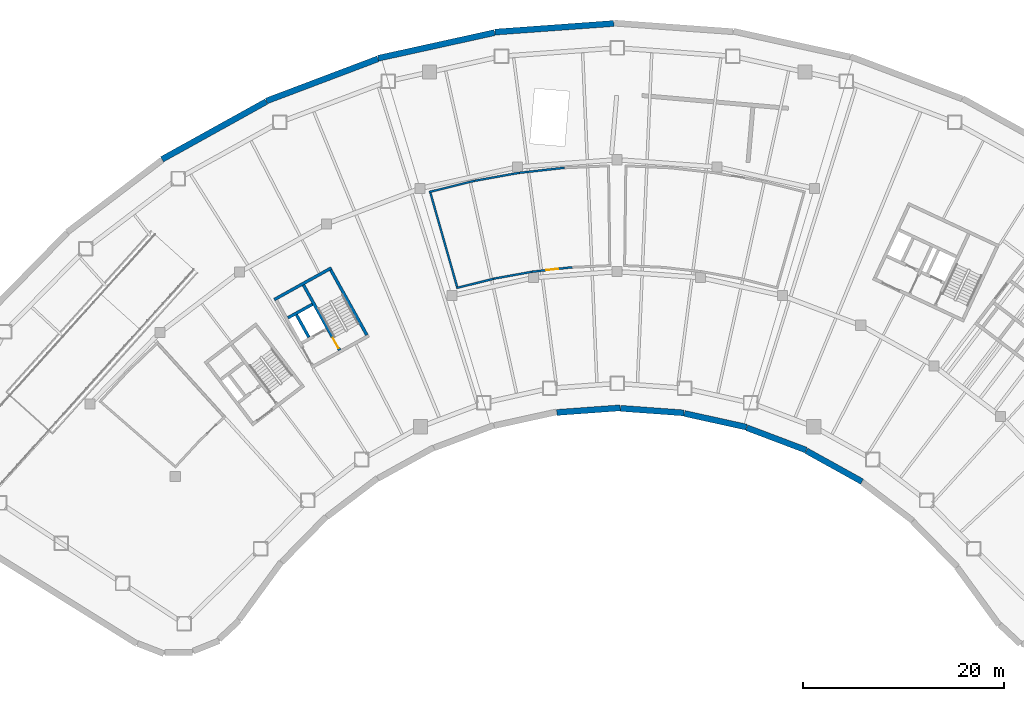
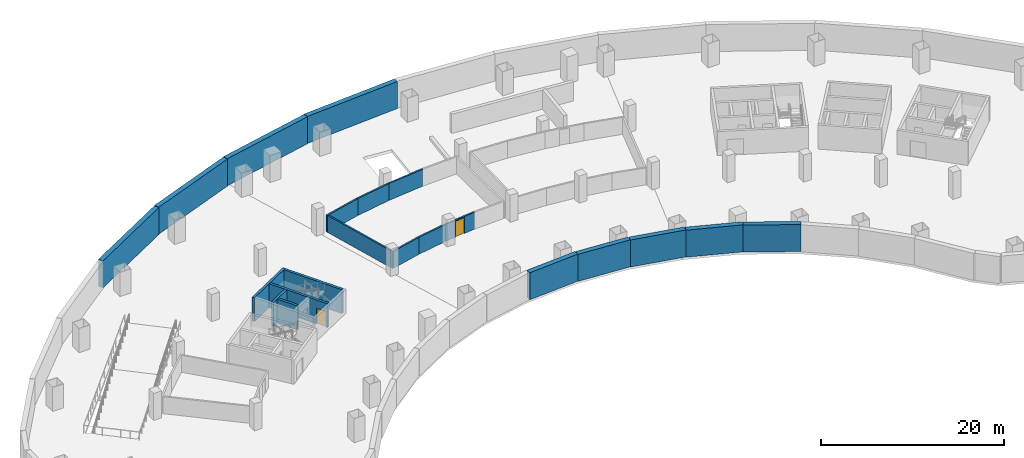
# One storey, part 5 of 10: 21 walls, 2 doors, 2 openings.
"""IFC4 building model written with IfcOpenShell, lengths in metres."""

import ifcopenshell
import ifcopenshell.guid

model = None  # the IFC model being written
_history = None  # IfcOwnerHistory: only IFC2X3 demands one
_inside = {}  # id of a spatial element -> (the spatial element, [elements in it])
_under = {}  # id of a project, library or spatial element -> (it, [spatial elements below it])
_declared = {}  # id of a project -> (the project, [libraries it declares])
_typed = {}  # id of a type object -> (the type object, [elements of that type])
_made_of = {}  # id of a material, layer set ... -> (it, [elements and type objects made of it])


def new_model(schema):
    """Start an empty IFC model of exactly this schema.

    Asked for "IFC4X3", IfcOpenShell would pick the latest addendum, in which some entities
    have other attributes; the version numbers below select the first issue.
    IFC2X3 requires an IfcOwnerHistory on every rooted entity: one is made here for all.
    """
    global model, _history
    if schema == "IFC4X3":
        model = ifcopenshell.file(schema_version=(4, 3, 0, 0))
    else:
        model = ifcopenshell.file(schema=schema)
    _inside.clear()
    _under.clear()
    _declared.clear()
    _typed.clear()
    _made_of.clear()
    _history = None
    if model.schema == "IFC2X3":
        org = make("IfcOrganization", Name="unknown")
        user = make(
            "IfcPersonAndOrganization",
            ThePerson=make("IfcPerson", FamilyName="unknown"),
            TheOrganization=org,
        )
        app = make(
            "IfcApplication",
            ApplicationDeveloper=org,
            Version="unknown",
            ApplicationFullName="unknown",
            ApplicationIdentifier="unknown",
        )
        _history = make(
            "IfcOwnerHistory",
            OwningUser=user,
            OwningApplication=app,
            ChangeAction="ADDED",
            CreationDate=0,
        )
    return model


def make(cls, **values):
    """One entity of the class cls with the attributes given. An attribute that is None is left unset."""
    return model.create_entity(
        cls, **{name: value for name, value in values.items() if value is not None}
    )


def rooted(cls, **values):
    """An entity with a GlobalId (a new one), such as an element, a storey or a relation."""
    return make(cls, GlobalId=ifcopenshell.guid.new(), OwnerHistory=_history, **values)


def si_unit(unit_type, name, prefix=None):
    """IfcSIUnit, for example si_unit("LENGTHUNIT", "METRE", prefix="MILLI")."""
    return make("IfcSIUnit", UnitType=unit_type, Prefix=prefix, Name=name)


def assignment(units):
    """IfcUnitAssignment: the units of a project."""
    return None if units is None else make("IfcUnitAssignment", Units=units)


def point(xyz):
    """IfcCartesianPoint."""
    return None if xyz is None else make("IfcCartesianPoint", Coordinates=xyz)


def direction(xyz):
    """IfcDirection."""
    return None if xyz is None else make("IfcDirection", DirectionRatios=xyz)


def frame(location, z_axis=None, x_axis=None):
    """IfcAxis2Placement3D, a coordinate frame: its origin and axes. An axis left out is left unset."""
    return make(
        "IfcAxis2Placement3D",
        Location=point(location),
        Axis=direction(z_axis),
        RefDirection=direction(x_axis),
    )


def frame_2d(location, x_axis=None):
    """IfcAxis2Placement2D, a coordinate frame in the plane: its origin and x axis."""
    return make(
        "IfcAxis2Placement2D", Location=point(location), RefDirection=direction(x_axis)
    )


def origin():
    """The frame at (0, 0, 0) with its axes left unset."""
    return frame((0.0, 0.0, 0.0))


def place(relative_to, where):
    """IfcLocalPlacement: puts the frame where relative to a parent placement (None: the world)."""
    return make(
        "IfcLocalPlacement", PlacementRelTo=relative_to, RelativePlacement=where
    )


def context(
    kind, dimensions, precision=None, world=None, true_north=None, identifier=None
):
    """IfcGeometricRepresentationContext, for example the 3D "Model" context."""
    return make(
        "IfcGeometricRepresentationContext",
        ContextIdentifier=identifier,
        ContextType=kind,
        CoordinateSpaceDimension=dimensions,
        Precision=precision,
        WorldCoordinateSystem=world,
        TrueNorth=true_north,
    )


def subcontext(parent, identifier, kind, view, scale=None):
    """IfcGeometricRepresentationSubContext, for example "Body" below "Model"."""
    return make(
        "IfcGeometricRepresentationSubContext",
        ContextIdentifier=identifier,
        ContextType=kind,
        ParentContext=parent,
        TargetScale=scale,
        TargetView=view,
    )


def project(units=None, contexts=None):
    """IfcProject with its units and contexts."""
    return rooted(
        "IfcProject",
        Name="project",
        RepresentationContexts=contexts,
        UnitsInContext=assignment(units),
    )


def spatial(cls, under=None, at=None, **own):
    """A site, building, storey or space (cls), placed at a placement, below another one or the project."""
    s = rooted(cls, ObjectPlacement=at, **own)
    if under is not None:
        _under.setdefault(under.id(), (under, []))[1].append(s)
    return s


def profile(cls, at=None, kind="AREA", **sizes):
    """A parametric profile (cls). Its sizes go by their IFC names, for example OverallWidth=200.0."""
    return make(cls, ProfileType=kind, Position=at, **sizes)


def rectangle(**sizes):
    """IfcRectangleProfileDef."""
    return profile("IfcRectangleProfileDef", **sizes)


def extrude(swept, where, along, depth):
    """IfcExtrudedAreaSolid: the profile swept, set in the frame where, extruded along a direction by depth."""
    return make(
        "IfcExtrudedAreaSolid",
        SweptArea=swept,
        Position=where,
        ExtrudedDirection=direction(along),
        Depth=depth,
    )


def shape(context_of_items, identifier, shape_type, items):
    """IfcShapeRepresentation: the items that make up one representation, for example the "Body"."""
    return make(
        "IfcShapeRepresentation",
        ContextOfItems=context_of_items,
        RepresentationIdentifier=identifier,
        RepresentationType=shape_type,
        Items=items,
    )


def material(Name=None, Category=None):
    """IfcMaterial."""
    return make("IfcMaterial", Name=Name, Category=Category)


def layer(
    of_material, thickness, ventilated=None, Name=None, Category=None, Priority=None
):
    """IfcMaterialLayer: one layer of a wall or slab, of a material (None: an air gap)."""
    return make(
        "IfcMaterialLayer",
        Material=of_material,
        LayerThickness=thickness,
        IsVentilated=ventilated,
        Name=Name,
        Category=Category,
        Priority=Priority,
    )


def layer_set(layers, Name=None):
    """IfcMaterialLayerSet."""
    return make("IfcMaterialLayerSet", MaterialLayers=layers, LayerSetName=Name)


def made_of(thing, what):
    """Note that an element or type object is made of a material, layer set ...; save() writes the relation."""
    if what is not None:
        _made_of.setdefault(what.id(), (what, []))[1].append(thing)
    return thing


def type_object(cls, material=None, **own):
    """A type object (cls), such as IfcWallType, which elements share."""
    return made_of(rooted(cls, **own), material)


def element(
    cls,
    number,
    at=None,
    inside=None,
    cuts=None,
    type_object=None,
    material=None,
    context=None,
    identifier="Body",
    shape_type=None,
    held_by="IfcProductDefinitionShape",
    body=None,
    shapes=None,
    **own,
):
    """One element of the class cls, such as IfcWall. Its Tag is "e" and its number.

    at: its placement. inside: the storey or other place that contains it. cuts: it is an
    opening in that element (IfcRelVoidsElement). A single representation is given by context,
    identifier, shape_type and body (its items); several are given by shapes. held_by: the class
    of the entity that holds the representations. save() writes the other relations.
    """
    e = rooted(cls, Tag="e%d" % number, ObjectPlacement=at, **own)
    if body is not None:
        shapes = [shape(context, identifier, shape_type, body)]
    if shapes is not None:
        e.Representation = make(held_by, Representations=shapes)
    if inside is not None:
        _inside.setdefault(inside.id(), (inside, []))[1].append(e)
    if cuts is not None:
        rooted(
            "IfcRelVoidsElement", RelatingBuildingElement=cuts, RelatedOpeningElement=e
        )
    if type_object is not None:
        _typed.setdefault(type_object.id(), (type_object, []))[1].append(e)
    return made_of(e, material)


def fill(opening, filler):
    """IfcRelFillsElement: the door or window that sits in an opening."""
    return rooted(
        "IfcRelFillsElement",
        RelatingOpeningElement=opening,
        RelatedBuildingElement=filler,
    )


def aggregate(whole, parts):
    """IfcRelAggregates: a whole, such as a stair, and the parts it consists of."""
    return rooted("IfcRelAggregates", RelatingObject=whole, RelatedObjects=parts)


def save(model, path):
    """Write the relations noted so far, then the file.

    IfcRelAggregates (storeys below a building ...), IfcRelContainedInSpatialStructure (elements
    in a storey), IfcRelDefinesByType, IfcRelAssociatesMaterial and IfcRelDeclares: one each for
    every whole, place, type object, material and project.
    """
    for whole, parts in _under.values():
        aggregate(whole, parts)
    for where, things in _inside.values():
        rooted(
            "IfcRelContainedInSpatialStructure",
            RelatedElements=things,
            RelatingStructure=where,
        )
    for kind, things in _typed.values():
        rooted("IfcRelDefinesByType", RelatedObjects=things, RelatingType=kind)
    for what, things in _made_of.values():
        rooted("IfcRelAssociatesMaterial", RelatedObjects=things, RelatingMaterial=what)
    for by, libraries in _declared.values():
        rooted("IfcRelDeclares", RelatingContext=by, RelatedDefinitions=libraries)
    model.write(path)


model = new_model("IFC4")

# Units and contexts
model_context = context("Model", 3, precision=1e-05, world=origin(), true_north=direction((0.0, 1.0)))
body_context = subcontext(model_context, "Body", "Model", "MODEL_VIEW")
ifc_project = project(units=[si_unit("LENGTHUNIT", "METRE"), si_unit("AREAUNIT", "SQUARE_METRE"), si_unit("VOLUMEUNIT", "CUBIC_METRE"), si_unit("PLANEANGLEUNIT", "RADIAN"), si_unit("MASSUNIT", "GRAM", prefix="KILO")], contexts=[model_context])

# Site, building, storey
site_placement = place(None, origin())
site = spatial("IfcSite", under=ifc_project, at=site_placement, CompositionType="ELEMENT")
building_placement = place(site_placement, origin())
building = spatial("IfcBuilding", under=site, at=building_placement, Name="Tuul Gate Civic Tower", CompositionType="ELEMENT")
storey_placement = place(building_placement, frame((0.0, 0.0, -8.10009765625)))
storey = spatial("IfcBuildingStorey", under=building, at=storey_placement, Name="Basement 2", CompositionType="ELEMENT", Elevation=-8.10009765625)

# Walls
ifc_material_1 = material(Name="Concrete block", Category="concrete")
ifc_layer_1 = layer(ifc_material_1, 0.199951171875)
ifc_layer_set_1 = layer_set([ifc_layer_1], Name="Concrete block")
wall_type_1 = type_object("IfcWallType", Name="Basement room wall EI 120", PredefinedType="PARTITIONING", material=ifc_layer_set_1)
for number, where, z_axis, x_axis, name in (
    (1, (-18.715576171875, 5.56982421875, 0.0), (0.0, 0.0, 1.0), (0.970480863672, 0.24117813592, 0.0), "Room wall"),
    (2, (-14.351806640625, 6.6611328125, 0.0), (0.0, 0.0, 1.0), (0.984266572601, 0.176689881037, 0.0), "Room wall"),
    (3, (-9.925537109375, 7.46240234375, 0.0), (0.0, 0.0, 1.0), (0.993779358968, 0.111366896735, 0.0), "Room wall"),
):
    element("IfcWall", number, at=place(storey_placement, frame(where, z_axis=z_axis, x_axis=x_axis)), inside=storey, type_object=wall_type_1, Name=name, PredefinedType="PARTITIONING", context=body_context, shape_type="SweptSolid", body=[
        extrude(rectangle(XDim=4.697998046875, YDim=0.199951171875, at=frame_2d((2.34912109375, 0.0))), origin(), (0.0, 0.0, 1.0), 2.25),
    ])

# Wall, opening, door
wall_1_placement = place(storey_placement, frame((-4.476806640625, -1.91259765625, 0.0), z_axis=(0.0, 0.0, 1.0), x_axis=(-0.993774261055, -0.111412378419, 0.0)))
wall_1 = element("IfcWall", 4, at=wall_1_placement, inside=storey, type_object=wall_type_1, Name="Room wall", PredefinedType="PARTITIONING", context=body_context, shape_type="SweptSolid", body=[
    extrude(rectangle(XDim=4.04296875, YDim=0.199951171875, at=frame_2d((2.021484375, 0.0))), origin(), (0.0, 0.0, 1.0), 2.25),
])
opening_1_placement = place(wall_1_placement, frame((1.421630859375, 0.0, 0.0)))
opening_1 = element("IfcOpeningElement", 5, at=opening_1_placement, cuts=wall_1, Name="Opening PD", PredefinedType="OPENING", context=body_context, shape_type="SweptSolid", body=[
    extrude(rectangle(XDim=1.199951171875, YDim=2.10009765625, at=frame_2d((0.60009765625, 1.050048828125))), frame((0.0, 0.10986328125, 0.0), z_axis=(0.0, -1.0, 0.0), x_axis=(1.0, 0.0, 0.0)), (0.0, 0.0, 1.0), 0.219970703125),
])
ifc_material_2 = material(Name="Steel door", Category="steel")
door_type_1 = type_object("IfcDoorType", Name="Plant room door", OperationType="DOUBLE_DOOR_SINGLE_SWING", PredefinedType="DOOR", material=ifc_material_2)
door_1_placement = place(opening_1_placement, origin())
door_1 = element("IfcDoor", 6, at=door_1_placement, inside=storey, type_object=door_type_1, Name="Door", OperationType="DOUBLE_DOOR_SINGLE_SWING", OverallHeight=2.10009765625, OverallWidth=1.199951171875, PredefinedType="DOOR", context=body_context, shape_type="SweptSolid", body=[
    extrude(rectangle(XDim=1.199951171875, YDim=2.10009765625, at=frame_2d((0.60009765625, 1.050048828125))), frame((0.0, 0.02490234375, 0.0), z_axis=(0.0, -1.0, 0.0), x_axis=(1.0, 0.0, 0.0)), (0.0, 0.0, 1.0), 0.050048828125),
])
fill(opening_1, door_1)

# Walls
for number, where, z_axis, x_axis, name in (
    (7, (-8.296875, -2.334228515625, 0.0), (0.0, 0.0, 1.0), (-0.984277937108, -0.176626562334, 0.0), "Room wall"),
    (8, (-12.080810546875, -3.006591796875, 0.0), (0.0, 0.0, 1.0), (-0.970479017696, -0.241185563853, 0.0), "Room wall"),
):
    element("IfcWall", number, at=place(storey_placement, frame(where, z_axis=z_axis, x_axis=x_axis)), inside=storey, type_object=wall_type_1, Name=name, PredefinedType="PARTITIONING", context=body_context, shape_type="SweptSolid", body=[
        extrude(rectangle(XDim=4.04296875, YDim=0.199951171875, at=frame_2d((2.021484375, 0.0))), origin(), (0.0, 0.0, 1.0), 2.25),
    ])
wall_2_placement = place(storey_placement, frame((-15.880126953125, -4.053955078125, 0.0), z_axis=(0.0, 0.0, 1.0), x_axis=(-0.273062164325, 0.961996390021, 0.0)))
element("IfcWall", 9, at=wall_2_placement, inside=storey, type_object=wall_type_1, Name="Room wall", PredefinedType="PARTITIONING", context=body_context, shape_type="SweptSolid", body=[
    extrude(rectangle(XDim=10.129150390625, YDim=0.199951171875, at=frame_2d((5.064453125, 0.0))), origin(), (0.0, 0.0, 1.0), 2.25),
])
ifc_material_3 = material(Name="Concrete C50/60", Category="concrete")
ifc_layer_2 = layer(ifc_material_3, 0.300048828125)
ifc_layer_set_2 = layer_set([ifc_layer_2], Name="Concrete C50/60")
wall_type_2 = type_object("IfcWallType", Name="Core wall C50/60", PredefinedType="SHEAR", material=ifc_layer_set_2)
wall_3_placement = place(storey_placement, frame((-30.327392578125, -5.59716796875, 0.0), z_axis=(0.0, 0.0, 1.0), x_axis=(-0.874629840737, -0.484791338301, 0.0)))
element("IfcWall", 10, at=wall_3_placement, inside=storey, type_object=wall_type_2, Name="Core wall", PredefinedType="SHEAR", context=body_context, shape_type="SweptSolid", body=[
    extrude(rectangle(XDim=2.800048828125, YDim=0.300048828125, at=frame_2d((1.39990234375, 0.0))), origin(), (0.0, 0.0, 1.0), 3.2001953125),
])
wall_4_placement = place(storey_placement, frame((-28.4443359375, -1.98095703125, 0.0), z_axis=(0.0, 0.0, 1.0), x_axis=(-0.874629909008, -0.484791215132, 0.0)))
element("IfcWall", 11, at=wall_4_placement, inside=storey, type_object=wall_type_2, Name="Core wall", PredefinedType="SHEAR", context=body_context, shape_type="SweptSolid", body=[
    extrude(rectangle(XDim=6.5, YDim=0.300048828125, at=frame_2d((3.25, 0.0))), origin(), (0.0, 0.0, 1.0), 3.2001953125),
])
wall_5_placement = place(storey_placement, frame((-24.91552734375, -8.6572265625, 0.0), z_axis=(0.0, 0.0, 1.0), x_axis=(-0.484777133038, 0.874637714304, 0.0)))
element("IfcWall", 12, at=wall_5_placement, inside=storey, type_object=wall_type_2, Name="Core wall", PredefinedType="SHEAR", context=body_context, shape_type="SweptSolid", body=[
    extrude(rectangle(XDim=7.400146484375, YDim=0.300048828125, at=frame_2d((3.7001953125, 0.0))), origin(), (0.0, 0.0, 1.0), 3.2001953125),
])

# Wall, opening, door
wall_6_placement = place(storey_placement, frame((-27.626953125, -10.16015625, 0.0), z_axis=(0.0, 0.0, 1.0), x_axis=(-0.484751894226, 0.874651702704, 0.0)))
wall_6 = element("IfcWall", 13, at=wall_6_placement, inside=storey, type_object=wall_type_2, Name="Core wall", PredefinedType="SHEAR", context=body_context, shape_type="SweptSolid", body=[
    extrude(rectangle(XDim=7.39990234375, YDim=0.300048828125, at=frame_2d((3.699951171875, 0.0))), origin(), (0.0, 0.0, 1.0), 3.2001953125),
])
opening_2_placement = place(wall_6_placement, frame((0.199951171875, 0.0, 0.0)))
opening_2 = element("IfcOpeningElement", 14, at=opening_2_placement, cuts=wall_6, Name="Opening SD-ST-2", PredefinedType="OPENING", context=body_context, shape_type="SweptSolid", body=[
    extrude(rectangle(XDim=1.199951171875, YDim=2.10009765625, at=frame_2d((0.60009765625, 1.050048828125))), frame((0.0, 0.16015625, 0.0), z_axis=(0.0, -1.0, 0.0), x_axis=(1.0, 0.0, 0.0)), (0.0, 0.0, 1.0), 0.320068359375),
])
ifc_material_4 = material(Name="Steel", Category="steel")
door_type_2 = type_object("IfcDoorType", Name="Stair door", OperationType="NOTDEFINED", PredefinedType="DOOR", material=ifc_material_4)
door_2_placement = place(opening_2_placement, origin())
door_2 = element("IfcDoor", 15, at=door_2_placement, inside=storey, type_object=door_type_2, Name="Stair door ST-2", OperationType="SINGLE_SWING_LEFT", OverallHeight=2.10009765625, OverallWidth=1.199951171875, PredefinedType="DOOR", context=body_context, shape_type="SweptSolid", body=[
    extrude(rectangle(XDim=1.199951171875, YDim=2.10009765625, at=frame_2d((0.60009765625, 1.050048828125))), frame((0.0, 0.02490234375, 0.0), z_axis=(0.0, -1.0, 0.0), x_axis=(1.0, 0.0, 0.0)), (0.0, 0.0, 1.0), 0.050048828125),
])
fill(opening_2, door_2)

# Walls
wall_7_placement = place(storey_placement, frame((-30.680419921875, -8.8798828125, 0.0), z_axis=(0.0, 0.0, 1.0), x_axis=(-0.484724115216, 0.874667097888, 0.0)))
element("IfcWall", 16, at=wall_7_placement, inside=storey, type_object=wall_type_2, Name="Core wall", PredefinedType="SHEAR", context=body_context, shape_type="SweptSolid", body=[
    extrude(rectangle(XDim=2.550048828125, YDim=0.300048828125, at=frame_2d((1.27490234375, 0.0))), origin(), (0.0, 0.0, 1.0), 3.2001953125),
])
ifc_material_5 = material(Name="Concrete C40/50", Category="concrete")
ifc_layer_3 = layer(ifc_material_5, 0.60009765625)
ifc_layer_set_3 = layer_set([ifc_layer_3], Name="Concrete C40/50")
wall_type_3 = type_object("IfcWallType", Name="STR-BASEMENT-WALL-600", PredefinedType="SOLIDWALL", material=ifc_layer_set_3)
wall_8_placement = place(storey_placement, frame((-0.3408203125, 22.346435546875, 0.0), z_axis=(0.0, 0.0, 1.0), x_axis=(-0.99738449488, -0.072278415685, 0.0)))
element("IfcWall", 17, at=wall_8_placement, inside=storey, type_object=wall_type_3, Name="Retaining wall", PredefinedType="SOLIDWALL", context=body_context, shape_type="SweptSolid", body=[
    extrude(rectangle(XDim=11.859375, YDim=0.60009765625, at=frame_2d((5.9296875, 0.0))), origin(), (0.0, 0.0, 1.0), 3.60009765625),
])
wall_9_placement = place(storey_placement, frame((-12.20361328125, 21.4375, 0.0), z_axis=(0.0, 0.0, 1.0), x_axis=(-0.976558083029, -0.21525406029, 0.0)))
element("IfcWall", 18, at=wall_9_placement, inside=storey, type_object=wall_type_3, Name="Retaining wall", PredefinedType="SOLIDWALL", context=body_context, shape_type="SweptSolid", body=[
    extrude(rectangle(XDim=11.8603515625, YDim=0.60009765625, at=frame_2d((5.93017578125, 0.0))), origin(), (0.0, 0.0, 1.0), 3.60009765625),
])
wall_10_placement = place(storey_placement, frame((-23.8125, 18.828125, 0.0), z_axis=(0.0, 0.0, 1.0), x_axis=(-0.935370574705, -0.353669178719, 0.0)))
element("IfcWall", 19, at=wall_10_placement, inside=storey, type_object=wall_type_3, Name="Retaining wall", PredefinedType="SOLIDWALL", context=body_context, shape_type="SweptSolid", body=[
    extrude(rectangle(XDim=11.859375, YDim=0.60009765625, at=frame_2d((5.9296875, 0.0))), origin(), (0.0, 0.0, 1.0), 3.60009765625),
])
wall_11_placement = place(storey_placement, frame((-34.923828125, 14.574462890625, 0.0), z_axis=(0.0, 0.0, 1.0), x_axis=(-0.874605516803, -0.484835219407, 0.0)))
element("IfcWall", 20, at=wall_11_placement, inside=storey, type_object=wall_type_3, Name="Retaining wall", PredefinedType="SOLIDWALL", context=body_context, shape_type="SweptSolid", body=[
    extrude(rectangle(XDim=11.859619140625, YDim=0.60009765625, at=frame_2d((5.9296875, 0.0))), origin(), (0.0, 0.0, 1.0), 3.60009765625),
])
wall_12_placement = place(storey_placement, frame((-6.01025390625, -16.365234375, 0.0), z_axis=(0.0, 0.0, 1.0), x_axis=(0.997389672228, 0.07220693688, 0.0)))
element("IfcWall", 21, at=wall_12_placement, inside=storey, type_object=wall_type_3, Name="Retaining wall", PredefinedType="SOLIDWALL", context=body_context, shape_type="SweptSolid", body=[
    extrude(rectangle(XDim=6.326171875, YDim=0.60009765625, at=frame_2d((3.1630859375, 0.0))), origin(), (0.0, 0.0, 1.0), 3.60009765625),
])
wall_13_placement = place(storey_placement, frame((0.3408203125, -15.95458984375, 0.0), z_axis=(0.0, 0.0, 1.0), x_axis=(0.997386690669, -0.072248109157, 0.0)))
element("IfcWall", 22, at=wall_13_placement, inside=storey, type_object=wall_type_3, Name="Retaining wall", PredefinedType="SOLIDWALL", context=body_context, shape_type="SweptSolid", body=[
    extrude(rectangle(XDim=6.325927734375, YDim=0.60009765625, at=frame_2d((3.1630859375, 0.0))), origin(), (0.0, 0.0, 1.0), 3.60009765625),
])
wall_14_placement = place(storey_placement, frame((6.6845703125, -16.463623046875, 0.0), z_axis=(0.0, 0.0, 1.0), x_axis=(0.97658498235, -0.215131987971, 0.0)))
element("IfcWall", 23, at=wall_14_placement, inside=storey, type_object=wall_type_3, Name="Retaining wall", PredefinedType="SOLIDWALL", context=body_context, shape_type="SweptSolid", body=[
    extrude(rectangle(XDim=6.32568359375, YDim=0.60009765625, at=frame_2d((3.162841796875, 0.0))), origin(), (0.0, 0.0, 1.0), 3.60009765625),
])
wall_15_placement = place(storey_placement, frame((12.888427734375, -17.880859375, 0.0), z_axis=(0.0, 0.0, 1.0), x_axis=(0.93537253931, -0.353663982764, 0.0)))
element("IfcWall", 24, at=wall_15_placement, inside=storey, type_object=wall_type_3, Name="Retaining wall", PredefinedType="SOLIDWALL", context=body_context, shape_type="SweptSolid", body=[
    extrude(rectangle(XDim=6.326171875, YDim=0.60009765625, at=frame_2d((3.1630859375, 0.0))), origin(), (0.0, 0.0, 1.0), 3.60009765625),
])
wall_16_placement = place(storey_placement, frame((18.82373046875, -20.177490234375, 0.0), z_axis=(0.0, 0.0, 1.0), x_axis=(0.874651922409, -0.484751497807, 0.0)))
element("IfcWall", 25, at=wall_16_placement, inside=storey, type_object=wall_type_3, Name="Retaining wall", PredefinedType="SOLIDWALL", context=body_context, shape_type="SweptSolid", body=[
    extrude(rectangle(XDim=6.32666015625, YDim=0.60009765625, at=frame_2d((3.163330078125, 0.0))), origin(), (0.0, 0.0, 1.0), 3.60009765625),
])

save(model, "model.ifc")
